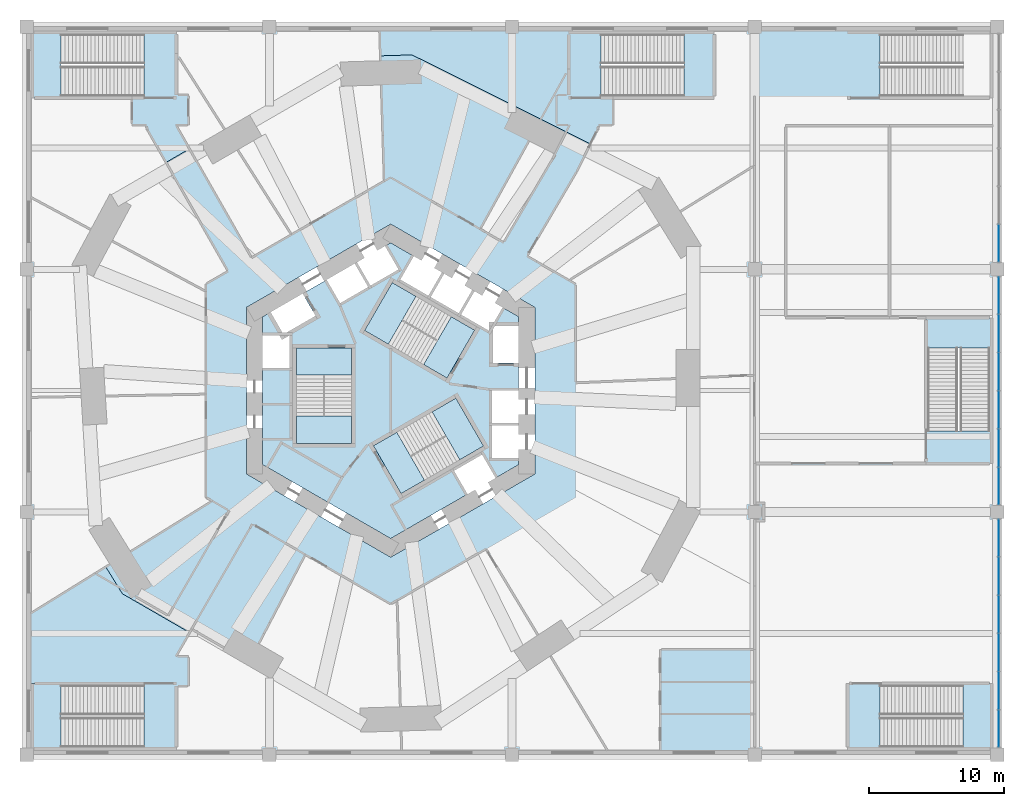
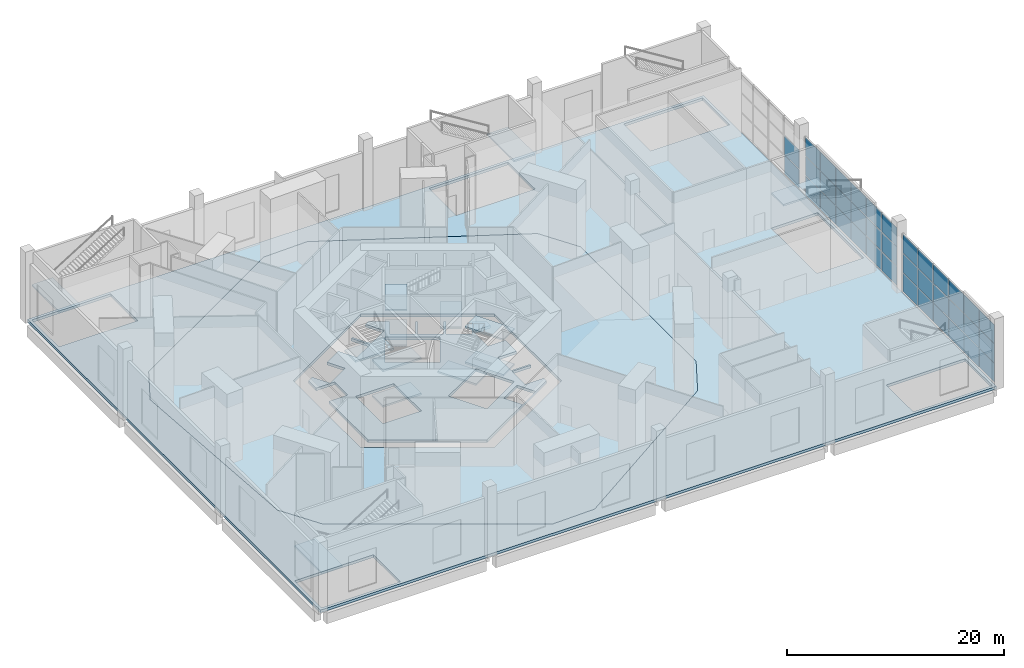
# One storey, part 4 of 15: 38 plates, 17 slabs, 11 elements without a shape of their own.
"""IFC4 building model written with IfcOpenShell, lengths in metres."""

from ifc_helpers import new_model, si_unit, direction, frame, origin, origin_2d, place, context, subcontext, project, spatial, polyline, rectangle, outline, extrude, material, layer, layer_set, type_object, element, aggregate, save


model = new_model("IFC4")

# Units and contexts
model_context = context("Model", 3, precision=1e-05, world=origin(), true_north=direction((0.0, 1.0)))
body_context = subcontext(model_context, "Body", "Model", "MODEL_VIEW")
ifc_project = project(units=[si_unit("LENGTHUNIT", "METRE"), si_unit("AREAUNIT", "SQUARE_METRE"), si_unit("VOLUMEUNIT", "CUBIC_METRE"), si_unit("PLANEANGLEUNIT", "RADIAN"), si_unit("MASSUNIT", "GRAM", prefix="KILO")], contexts=[model_context])

# Site, building, storey
site_placement = place(None, origin())
site = spatial("IfcSite", under=ifc_project, at=site_placement, CompositionType="ELEMENT")
building_placement = place(site_placement, origin())
building = spatial("IfcBuilding", under=site, at=building_placement, Name="Vanh Sen Convention Tower", CompositionType="ELEMENT")
storey_placement = place(building_placement, frame((0.0, 0.0, 21.0)))
storey = spatial("IfcBuildingStorey", under=building, at=storey_placement, Name="L03", CompositionType="ELEMENT", Elevation=21.0)

# Slabs
ifc_material_1 = material(Name="Concrete C40/50", Category="concrete")
ifc_layer_1 = layer(ifc_material_1, 0.300048828125)
ifc_layer_set_1 = layer_set([ifc_layer_1], Name="Concrete C40/50")
slab_type_1 = type_object("IfcSlabType", Name="Core slab 300", PredefinedType="FLOOR", material=ifc_layer_set_1)
slab_1_placement = place(storey_placement, frame((0.0, 0.0, -0.300048828125)))
element("IfcSlab", 1, at=slab_1_placement, inside=storey, type_object=slab_type_1, Name="Core slab L03", PredefinedType="FLOOR", context=body_context, shape_type="SweptSolid", body=[
    extrude(outline(polyline([(9.5, 5.48486328125), (9.5, 4.800048828125), (7.60009765625, 4.800048828125), (7.60009765625, 2.050048828125), (9.5, 2.050048828125), (9.5, 0.0), (7.5, 0.0), (7.5, -2.39990234375), (9.5, -2.39990234375), (9.5, -2.60009765625), (7.5, -2.60009765625), (7.5, -5.0), (9.5, -5.0), (9.5, -5.48486328125), (0.0, -10.9697265625), (-9.5, -5.48486328125), (-9.5, 1.699951171875), (-7.5, 1.699951171875), (-7.5, 4.10009765625), (-9.5, 4.10009765625), (-9.5, 5.48486328125), (-8.906982421875, 5.8271484375), (-7.956787109375, 4.181884765625), (-5.575439453125, 5.556884765625), (-6.525390625, 7.2021484375), (-4.75, 8.227294921875), (-3.75, 6.4951171875), (-1.67138671875, 7.6953125), (-2.67138671875, 9.42724609375), (-2.498291015625, 9.527099609375), (-1.498291015625, 7.795166015625), (0.580078125, 8.9951171875), (-0.419921875, 10.727294921875), (0.0, 10.9697265625), (1.718994140625, 9.977294921875), (0.718994140625, 8.2451171875), (2.79736328125, 7.045166015625), (3.79736328125, 8.777099609375), (3.970703125, 8.67724609375), (2.970703125, 6.9453125), (5.049072265625, 5.7451171875), (6.049072265625, 7.477294921875), (6.22216796875, 7.377197265625), (5.22216796875, 5.645263671875), (7.30078125, 4.4453125), (8.30078125, 6.17724609375), (9.5, 5.48486328125)]), holes=[polyline([(-7.0, 3.14990234375), (-7.0, -3.909912109375), (-2.89990234375, -3.909912109375), (-2.89990234375, 3.14990234375), (-2.89990234375, 1.1494140625), (-7.0, 1.1494140625), (-7.0, 3.14990234375)]), polyline([(4.495361328125, 5.487548828125), (6.22802734375, 4.4873046875), (0.11376953125, 8.01708984375), (-1.936279296875, 4.466552734375), (2.4453125, 1.936767578125), (4.495361328125, 5.487548828125)]), polyline([(7.781005859375, -6.477294921875), (6.781005859375, -4.7451171875), (4.70263671875, -5.9453125), (5.70263671875, -7.67724609375), (7.781005859375, -6.477294921875)]), polyline([(0.45458984375, -3.086181640625), (2.504638671875, -6.63671875), (6.88623046875, -4.107177734375), (4.836181640625, -0.556396484375), (-1.278076171875, -4.08642578125), (0.45458984375, -3.086181640625)])]), origin(), (0.0, 0.0, 1.0), 0.300048828125),
])
ifc_layer_2 = layer(ifc_material_1, 0.300048828125)
ifc_layer_set_2 = layer_set([ifc_layer_2], Name="Concrete C40/50")
slab_type_2 = type_object("IfcSlabType", Name="Floor slab 300 REI 120", PredefinedType="FLOOR", material=ifc_layer_set_2)
slab_2_placement = place(storey_placement, frame((0.0, 0.0, -0.300048828125)))
element("IfcSlab", 2, at=slab_2_placement, inside=storey, type_object=slab_type_2, Name="Floor slab L03 tower", PredefinedType="FLOOR", context=body_context, shape_type="SweptSolid", body=[
    extrude(outline(polyline([(-23.663818359375, 10.14794921875), (-22.364990234375, -11.085205078125), (-19.89990234375, -15.069091796875), (-1.476806640625, -25.705322265625), (3.04345703125, -25.5673828125), (20.78271484375, -13.825927734375), (23.0, -9.69921875), (23.0, 11.57373046875), (20.620361328125, 15.419189453125), (1.58251953125, 24.911376953125), (-3.10009765625, 24.768310546875), (-21.523193359375, 14.131591796875), (-23.663818359375, 10.14794921875)]), holes=[polyline([(0.0, 12.355224609375), (-10.699951171875, 6.177490234375), (-10.699951171875, -6.177490234375), (0.0, -12.355224609375), (10.699951171875, -6.177490234375), (10.699951171875, 6.177490234375), (0.0, 12.355224609375)])]), origin(), (0.0, 0.0, 1.0), 0.300048828125),
])
slab_3_placement = place(storey_placement, frame((0.0, 0.0, -0.300048828125)))
element("IfcSlab", 3, at=slab_3_placement, inside=storey, type_object=slab_type_2, Name="Floor slab L03 wing", PredefinedType="FLOOR", context=body_context, shape_type="SweptSolid", body=[
    extrude(outline(polyline([(45.0, 27.0), (-27.0, 27.0), (-27.0, -27.0), (45.0, -27.0), (45.0, 27.0)]), holes=[polyline([(-22.364990234375, -11.085205078125), (-19.89990234375, -15.069091796875), (-1.476806640625, -25.705322265625), (3.04345703125, -25.5673828125), (20.78271484375, -13.825927734375), (23.0, -9.69921875), (23.0, 11.57373046875), (20.620361328125, 15.419189453125), (1.58251953125, 24.911376953125), (-3.10009765625, 24.768310546875), (-21.523193359375, 14.131591796875), (-23.663818359375, 10.14794921875), (-22.364990234375, -11.085205078125)]), polyline([(44.699951171875, 26.699951171875), (36.30078125, 26.699951171875), (36.30078125, 21.72509765625), (44.699951171875, 21.72509765625), (44.699951171875, 26.699951171875)]), polyline([(36.30078125, -26.699951171875), (44.699951171875, -26.699951171875), (44.699951171875, -21.72509765625), (36.30078125, -21.72509765625), (36.30078125, -26.699951171875)]), polyline([(39.72509765625, -2.999267578125), (44.699951171875, -2.999267578125), (44.699951171875, 5.39990234375), (39.72509765625, 5.39990234375), (39.72509765625, -2.999267578125)]), polyline([(15.6005859375, 26.699951171875), (15.6005859375, 21.72509765625), (24.0, 21.72509765625), (24.0, 26.699951171875), (15.6005859375, 26.699951171875)]), polyline([(-26.699951171875, 26.699951171875), (-26.699951171875, 21.72509765625), (-18.30078125, 21.72509765625), (-18.30078125, 26.699951171875), (-26.699951171875, 26.699951171875)]), polyline([(-26.699951171875, -21.72509765625), (-26.699951171875, -26.699951171875), (-18.30078125, -26.699951171875), (-18.30078125, -21.72509765625), (-26.699951171875, -21.72509765625)])]), origin(), (0.0, 0.0, 1.0), 0.300048828125),
])

# Curtain wall, plates
ifc_material_2 = material(Name="Aluminium structural glazing system", Category="aluminium")
curtain_wall_type = type_object("IfcCurtainWallType", Name="Podium hall structural glazing", PredefinedType="NOTDEFINED", material=ifc_material_2)
curtain_wall_1_placement = place(storey_placement, origin())
curtain_wall_1 = element("IfcCurtainWall", 4, at=curtain_wall_1_placement, inside=storey, type_object=curtain_wall_type, Name="Podium hall glazing 1 L03", PredefinedType="NOTDEFINED")
ifc_material_3 = material(Name="Clear toughened safety glass", Category="glass")
ifc_layer_3 = layer(ifc_material_3, 0.031982421875)
ifc_layer_set_3 = layer_set([ifc_layer_3], Name="Clear toughened safety glass")
plate_type = type_object("IfcPlateType", Name="Hall glazing clear glass panel 32", PredefinedType="CURTAIN_PANEL", material=ifc_layer_set_3)
plate_1_placement = place(storey_placement, frame((45.110107421875, -25.06591796875, 0.06982421875), z_axis=(0.0, 0.0, 1.0), x_axis=(0.0, 1.0, 0.0)))
plate_1 = element("IfcPlate", 5, at=plate_1_placement, type_object=plate_type, Name="CW4 panel 1.1", PredefinedType="CURTAIN_PANEL", context=body_context, shape_type="SweptSolid", body=[
    extrude(rectangle(XDim=2.728271484375, YDim=0.031982421875, at=origin_2d()), origin(), (0.0, 0.0, 1.0), 2.094970703125),
])
plate_2_placement = place(storey_placement, frame((45.110107421875, -25.06591796875, 2.235107421875), z_axis=(0.0, 0.0, 1.0), x_axis=(0.0, 1.0, 0.0)))
plate_2 = element("IfcPlate", 6, at=plate_2_placement, type_object=plate_type, Name="CW4 panel 1.2", PredefinedType="CURTAIN_PANEL", context=body_context, shape_type="SweptSolid", body=[
    extrude(rectangle(XDim=2.728271484375, YDim=0.031982421875, at=origin_2d()), origin(), (0.0, 0.0, 1.0), 2.1298828125),
])
plate_3_placement = place(storey_placement, frame((45.110107421875, -25.06591796875, 4.43505859375), z_axis=(0.0, 0.0, 1.0), x_axis=(0.0, 1.0, 0.0)))
plate_3 = element("IfcPlate", 7, at=plate_3_placement, type_object=plate_type, Name="CW4 panel 1.3", PredefinedType="CURTAIN_PANEL", context=body_context, shape_type="SweptSolid", body=[
    extrude(rectangle(XDim=2.728271484375, YDim=0.031982421875, at=origin_2d()), origin(), (0.0, 0.0, 1.0), 2.094970703125),
])
plate_4_placement = place(storey_placement, frame((45.110107421875, -22.25, 0.06982421875), z_axis=(0.0, 0.0, 1.0), x_axis=(0.0, 1.0, 0.0)))
plate_4 = element("IfcPlate", 8, at=plate_4_placement, type_object=plate_type, Name="CW4 panel 2.1", PredefinedType="CURTAIN_PANEL", context=body_context, shape_type="SweptSolid", body=[
    extrude(rectangle(XDim=2.763427734375, YDim=0.031982421875, at=origin_2d()), origin(), (0.0, 0.0, 1.0), 2.094970703125),
])
plate_5_placement = place(storey_placement, frame((45.110107421875, -22.25, 2.235107421875), z_axis=(0.0, 0.0, 1.0), x_axis=(0.0, 1.0, 0.0)))
plate_5 = element("IfcPlate", 9, at=plate_5_placement, type_object=plate_type, Name="CW4 panel 2.2", PredefinedType="CURTAIN_PANEL", context=body_context, shape_type="SweptSolid", body=[
    extrude(rectangle(XDim=2.763427734375, YDim=0.031982421875, at=origin_2d()), origin(), (0.0, 0.0, 1.0), 2.1298828125),
])
plate_6_placement = place(storey_placement, frame((45.110107421875, -22.25, 4.43505859375), z_axis=(0.0, 0.0, 1.0), x_axis=(0.0, 1.0, 0.0)))
plate_6 = element("IfcPlate", 10, at=plate_6_placement, type_object=plate_type, Name="CW4 panel 2.3", PredefinedType="CURTAIN_PANEL", context=body_context, shape_type="SweptSolid", body=[
    extrude(rectangle(XDim=2.763427734375, YDim=0.031982421875, at=origin_2d()), origin(), (0.0, 0.0, 1.0), 2.094970703125),
])
plate_7_placement = place(storey_placement, frame((45.110107421875, -19.416748046875, 0.06982421875), z_axis=(0.0, 0.0, 1.0), x_axis=(0.0, 1.0, 0.0)))
plate_7 = element("IfcPlate", 11, at=plate_7_placement, type_object=plate_type, Name="CW4 panel 3.1", PredefinedType="CURTAIN_PANEL", context=body_context, shape_type="SweptSolid", body=[
    extrude(rectangle(XDim=2.763427734375, YDim=0.031982421875, at=origin_2d()), origin(), (0.0, 0.0, 1.0), 2.094970703125),
])
plate_8_placement = place(storey_placement, frame((45.110107421875, -19.416748046875, 2.235107421875), z_axis=(0.0, 0.0, 1.0), x_axis=(0.0, 1.0, 0.0)))
plate_8 = element("IfcPlate", 12, at=plate_8_placement, type_object=plate_type, Name="CW4 panel 3.2", PredefinedType="CURTAIN_PANEL", context=body_context, shape_type="SweptSolid", body=[
    extrude(rectangle(XDim=2.763427734375, YDim=0.031982421875, at=origin_2d()), origin(), (0.0, 0.0, 1.0), 2.1298828125),
])
plate_9_placement = place(storey_placement, frame((45.110107421875, -19.416748046875, 4.43505859375), z_axis=(0.0, 0.0, 1.0), x_axis=(0.0, 1.0, 0.0)))
plate_9 = element("IfcPlate", 13, at=plate_9_placement, type_object=plate_type, Name="CW4 panel 3.3", PredefinedType="CURTAIN_PANEL", context=body_context, shape_type="SweptSolid", body=[
    extrude(rectangle(XDim=2.763427734375, YDim=0.031982421875, at=origin_2d()), origin(), (0.0, 0.0, 1.0), 2.094970703125),
])
plate_10_placement = place(storey_placement, frame((45.110107421875, -16.583251953125, 0.06982421875), z_axis=(0.0, 0.0, 1.0), x_axis=(0.0, 1.0, 0.0)))
plate_10 = element("IfcPlate", 14, at=plate_10_placement, type_object=plate_type, Name="CW4 panel 4.1", PredefinedType="CURTAIN_PANEL", context=body_context, shape_type="SweptSolid", body=[
    extrude(rectangle(XDim=2.763427734375, YDim=0.031982421875, at=origin_2d()), origin(), (0.0, 0.0, 1.0), 2.094970703125),
])
plate_11_placement = place(storey_placement, frame((45.110107421875, -16.583251953125, 2.235107421875), z_axis=(0.0, 0.0, 1.0), x_axis=(0.0, 1.0, 0.0)))
plate_11 = element("IfcPlate", 15, at=plate_11_placement, type_object=plate_type, Name="CW4 panel 4.2", PredefinedType="CURTAIN_PANEL", context=body_context, shape_type="SweptSolid", body=[
    extrude(rectangle(XDim=2.763427734375, YDim=0.031982421875, at=origin_2d()), origin(), (0.0, 0.0, 1.0), 2.1298828125),
])
plate_12_placement = place(storey_placement, frame((45.110107421875, -16.583251953125, 4.43505859375), z_axis=(0.0, 0.0, 1.0), x_axis=(0.0, 1.0, 0.0)))
plate_12 = element("IfcPlate", 16, at=plate_12_placement, type_object=plate_type, Name="CW4 panel 4.3", PredefinedType="CURTAIN_PANEL", context=body_context, shape_type="SweptSolid", body=[
    extrude(rectangle(XDim=2.763427734375, YDim=0.031982421875, at=origin_2d()), origin(), (0.0, 0.0, 1.0), 2.094970703125),
])
plate_13_placement = place(storey_placement, frame((45.110107421875, -13.75, 0.06982421875), z_axis=(0.0, 0.0, 1.0), x_axis=(0.0, 1.0, 0.0)))
plate_13 = element("IfcPlate", 17, at=plate_13_placement, type_object=plate_type, Name="CW4 panel 5.1", PredefinedType="CURTAIN_PANEL", context=body_context, shape_type="SweptSolid", body=[
    extrude(rectangle(XDim=2.763427734375, YDim=0.031982421875, at=origin_2d()), origin(), (0.0, 0.0, 1.0), 2.094970703125),
])
plate_14_placement = place(storey_placement, frame((45.110107421875, -13.75, 2.235107421875), z_axis=(0.0, 0.0, 1.0), x_axis=(0.0, 1.0, 0.0)))
plate_14 = element("IfcPlate", 18, at=plate_14_placement, type_object=plate_type, Name="CW4 panel 5.2", PredefinedType="CURTAIN_PANEL", context=body_context, shape_type="SweptSolid", body=[
    extrude(rectangle(XDim=2.763427734375, YDim=0.031982421875, at=origin_2d()), origin(), (0.0, 0.0, 1.0), 2.1298828125),
])
plate_15_placement = place(storey_placement, frame((45.110107421875, -13.75, 4.43505859375), z_axis=(0.0, 0.0, 1.0), x_axis=(0.0, 1.0, 0.0)))
plate_15 = element("IfcPlate", 19, at=plate_15_placement, type_object=plate_type, Name="CW4 panel 5.3", PredefinedType="CURTAIN_PANEL", context=body_context, shape_type="SweptSolid", body=[
    extrude(rectangle(XDim=2.763427734375, YDim=0.031982421875, at=origin_2d()), origin(), (0.0, 0.0, 1.0), 2.094970703125),
])
plate_16_placement = place(storey_placement, frame((45.110107421875, -10.93408203125, 0.06982421875), z_axis=(0.0, 0.0, 1.0), x_axis=(0.0, 1.0, 0.0)))
plate_16 = element("IfcPlate", 20, at=plate_16_placement, type_object=plate_type, Name="CW4 panel 6.1", PredefinedType="CURTAIN_PANEL", context=body_context, shape_type="SweptSolid", body=[
    extrude(rectangle(XDim=2.728271484375, YDim=0.031982421875, at=origin_2d()), origin(), (0.0, 0.0, 1.0), 2.094970703125),
])
plate_17_placement = place(storey_placement, frame((45.110107421875, -10.93408203125, 2.235107421875), z_axis=(0.0, 0.0, 1.0), x_axis=(0.0, 1.0, 0.0)))
plate_17 = element("IfcPlate", 21, at=plate_17_placement, type_object=plate_type, Name="CW4 panel 6.2", PredefinedType="CURTAIN_PANEL", context=body_context, shape_type="SweptSolid", body=[
    extrude(rectangle(XDim=2.728271484375, YDim=0.031982421875, at=origin_2d()), origin(), (0.0, 0.0, 1.0), 2.1298828125),
])
plate_18_placement = place(storey_placement, frame((45.110107421875, -10.93408203125, 4.43505859375), z_axis=(0.0, 0.0, 1.0), x_axis=(0.0, 1.0, 0.0)))
plate_18 = element("IfcPlate", 22, at=plate_18_placement, type_object=plate_type, Name="CW4 panel 6.3", PredefinedType="CURTAIN_PANEL", context=body_context, shape_type="SweptSolid", body=[
    extrude(rectangle(XDim=2.728271484375, YDim=0.031982421875, at=origin_2d()), origin(), (0.0, 0.0, 1.0), 2.094970703125),
])
aggregate(curtain_wall_1, [plate_1, plate_2, plate_3, plate_4, plate_5, plate_6, plate_7, plate_8, plate_9, plate_10, plate_11, plate_12, plate_13, plate_14, plate_15, plate_16, plate_17, plate_18])

curtain_wall_2_placement = place(storey_placement, origin())
curtain_wall_2 = element("IfcCurtainWall", 23, at=curtain_wall_2_placement, inside=storey, type_object=curtain_wall_type, Name="Podium hall glazing 2 L03", PredefinedType="NOTDEFINED")
plate_19_placement = place(storey_placement, frame((45.110107421875, -7.06591796875, 0.06982421875), z_axis=(0.0, 0.0, 1.0), x_axis=(0.0, 1.0, 0.0)))
plate_19 = element("IfcPlate", 24, at=plate_19_placement, type_object=plate_type, Name="CW4 panel 1.1", PredefinedType="CURTAIN_PANEL", context=body_context, shape_type="SweptSolid", body=[
    extrude(rectangle(XDim=2.728271484375, YDim=0.031982421875, at=origin_2d()), origin(), (0.0, 0.0, 1.0), 2.094970703125),
])
plate_20_placement = place(storey_placement, frame((45.110107421875, -7.06591796875, 2.235107421875), z_axis=(0.0, 0.0, 1.0), x_axis=(0.0, 1.0, 0.0)))
plate_20 = element("IfcPlate", 25, at=plate_20_placement, type_object=plate_type, Name="CW4 panel 1.2", PredefinedType="CURTAIN_PANEL", context=body_context, shape_type="SweptSolid", body=[
    extrude(rectangle(XDim=2.728271484375, YDim=0.031982421875, at=origin_2d()), origin(), (0.0, 0.0, 1.0), 2.1298828125),
])
plate_21_placement = place(storey_placement, frame((45.110107421875, -7.06591796875, 4.43505859375), z_axis=(0.0, 0.0, 1.0), x_axis=(0.0, 1.0, 0.0)))
plate_21 = element("IfcPlate", 26, at=plate_21_placement, type_object=plate_type, Name="CW4 panel 1.3", PredefinedType="CURTAIN_PANEL", context=body_context, shape_type="SweptSolid", body=[
    extrude(rectangle(XDim=2.728271484375, YDim=0.031982421875, at=origin_2d()), origin(), (0.0, 0.0, 1.0), 2.094970703125),
])
plate_22_placement = place(storey_placement, frame((45.110107421875, -4.25, 0.06982421875), z_axis=(0.0, 0.0, 1.0), x_axis=(0.0, 1.0, 0.0)))
plate_22 = element("IfcPlate", 27, at=plate_22_placement, type_object=plate_type, Name="CW4 panel 2.1", PredefinedType="CURTAIN_PANEL", context=body_context, shape_type="SweptSolid", body=[
    extrude(rectangle(XDim=2.763427734375, YDim=0.031982421875, at=origin_2d()), origin(), (0.0, 0.0, 1.0), 2.094970703125),
])
plate_23_placement = place(storey_placement, frame((45.110107421875, -4.25, 2.235107421875), z_axis=(0.0, 0.0, 1.0), x_axis=(0.0, 1.0, 0.0)))
plate_23 = element("IfcPlate", 28, at=plate_23_placement, type_object=plate_type, Name="CW4 panel 2.2", PredefinedType="CURTAIN_PANEL", context=body_context, shape_type="SweptSolid", body=[
    extrude(rectangle(XDim=2.763427734375, YDim=0.031982421875, at=origin_2d()), origin(), (0.0, 0.0, 1.0), 2.1298828125),
])
plate_24_placement = place(storey_placement, frame((45.110107421875, -4.25, 4.43505859375), z_axis=(0.0, 0.0, 1.0), x_axis=(0.0, 1.0, 0.0)))
plate_24 = element("IfcPlate", 29, at=plate_24_placement, type_object=plate_type, Name="CW4 panel 2.3", PredefinedType="CURTAIN_PANEL", context=body_context, shape_type="SweptSolid", body=[
    extrude(rectangle(XDim=2.763427734375, YDim=0.031982421875, at=origin_2d()), origin(), (0.0, 0.0, 1.0), 2.094970703125),
])
plate_25_placement = place(storey_placement, frame((45.110107421875, -1.416748046875, 0.06982421875), z_axis=(0.0, 0.0, 1.0), x_axis=(0.0, 1.0, 0.0)))
plate_25 = element("IfcPlate", 30, at=plate_25_placement, type_object=plate_type, Name="CW4 panel 3.1", PredefinedType="CURTAIN_PANEL", context=body_context, shape_type="SweptSolid", body=[
    extrude(rectangle(XDim=2.763427734375, YDim=0.031982421875, at=origin_2d()), origin(), (0.0, 0.0, 1.0), 2.094970703125),
])
plate_26_placement = place(storey_placement, frame((45.110107421875, -1.416748046875, 2.235107421875), z_axis=(0.0, 0.0, 1.0), x_axis=(0.0, 1.0, 0.0)))
plate_26 = element("IfcPlate", 31, at=plate_26_placement, type_object=plate_type, Name="CW4 panel 3.2", PredefinedType="CURTAIN_PANEL", context=body_context, shape_type="SweptSolid", body=[
    extrude(rectangle(XDim=2.763427734375, YDim=0.031982421875, at=origin_2d()), origin(), (0.0, 0.0, 1.0), 2.1298828125),
])
plate_27_placement = place(storey_placement, frame((45.110107421875, -1.416748046875, 4.43505859375), z_axis=(0.0, 0.0, 1.0), x_axis=(0.0, 1.0, 0.0)))
plate_27 = element("IfcPlate", 32, at=plate_27_placement, type_object=plate_type, Name="CW4 panel 3.3", PredefinedType="CURTAIN_PANEL", context=body_context, shape_type="SweptSolid", body=[
    extrude(rectangle(XDim=2.763427734375, YDim=0.031982421875, at=origin_2d()), origin(), (0.0, 0.0, 1.0), 2.094970703125),
])
plate_28_placement = place(storey_placement, frame((45.110107421875, 1.416748046875, 0.06982421875), z_axis=(0.0, 0.0, 1.0), x_axis=(0.0, 1.0, 0.0)))
plate_28 = element("IfcPlate", 33, at=plate_28_placement, type_object=plate_type, Name="CW4 panel 4.1", PredefinedType="CURTAIN_PANEL", context=body_context, shape_type="SweptSolid", body=[
    extrude(rectangle(XDim=2.763427734375, YDim=0.031982421875, at=origin_2d()), origin(), (0.0, 0.0, 1.0), 2.094970703125),
])
plate_29_placement = place(storey_placement, frame((45.110107421875, 1.416748046875, 2.235107421875), z_axis=(0.0, 0.0, 1.0), x_axis=(0.0, 1.0, 0.0)))
plate_29 = element("IfcPlate", 34, at=plate_29_placement, type_object=plate_type, Name="CW4 panel 4.2", PredefinedType="CURTAIN_PANEL", context=body_context, shape_type="SweptSolid", body=[
    extrude(rectangle(XDim=2.763427734375, YDim=0.031982421875, at=origin_2d()), origin(), (0.0, 0.0, 1.0), 2.1298828125),
])
plate_30_placement = place(storey_placement, frame((45.110107421875, 1.416748046875, 4.43505859375), z_axis=(0.0, 0.0, 1.0), x_axis=(0.0, 1.0, 0.0)))
plate_30 = element("IfcPlate", 35, at=plate_30_placement, type_object=plate_type, Name="CW4 panel 4.3", PredefinedType="CURTAIN_PANEL", context=body_context, shape_type="SweptSolid", body=[
    extrude(rectangle(XDim=2.763427734375, YDim=0.031982421875, at=origin_2d()), origin(), (0.0, 0.0, 1.0), 2.094970703125),
])
plate_31_placement = place(storey_placement, frame((45.110107421875, 4.25, 0.06982421875), z_axis=(0.0, 0.0, 1.0), x_axis=(0.0, 1.0, 0.0)))
plate_31 = element("IfcPlate", 36, at=plate_31_placement, type_object=plate_type, Name="CW4 panel 5.1", PredefinedType="CURTAIN_PANEL", context=body_context, shape_type="SweptSolid", body=[
    extrude(rectangle(XDim=2.763427734375, YDim=0.031982421875, at=origin_2d()), origin(), (0.0, 0.0, 1.0), 2.094970703125),
])
plate_32_placement = place(storey_placement, frame((45.110107421875, 4.25, 2.235107421875), z_axis=(0.0, 0.0, 1.0), x_axis=(0.0, 1.0, 0.0)))
plate_32 = element("IfcPlate", 37, at=plate_32_placement, type_object=plate_type, Name="CW4 panel 5.2", PredefinedType="CURTAIN_PANEL", context=body_context, shape_type="SweptSolid", body=[
    extrude(rectangle(XDim=2.763427734375, YDim=0.031982421875, at=origin_2d()), origin(), (0.0, 0.0, 1.0), 2.1298828125),
])
plate_33_placement = place(storey_placement, frame((45.110107421875, 4.25, 4.43505859375), z_axis=(0.0, 0.0, 1.0), x_axis=(0.0, 1.0, 0.0)))
plate_33 = element("IfcPlate", 38, at=plate_33_placement, type_object=plate_type, Name="CW4 panel 5.3", PredefinedType="CURTAIN_PANEL", context=body_context, shape_type="SweptSolid", body=[
    extrude(rectangle(XDim=2.763427734375, YDim=0.031982421875, at=origin_2d()), origin(), (0.0, 0.0, 1.0), 2.094970703125),
])
plate_34_placement = place(storey_placement, frame((45.110107421875, 7.06591796875, 0.06982421875), z_axis=(0.0, 0.0, 1.0), x_axis=(0.0, 1.0, 0.0)))
plate_34 = element("IfcPlate", 39, at=plate_34_placement, type_object=plate_type, Name="CW4 panel 6.1", PredefinedType="CURTAIN_PANEL", context=body_context, shape_type="SweptSolid", body=[
    extrude(rectangle(XDim=2.728271484375, YDim=0.031982421875, at=origin_2d()), origin(), (0.0, 0.0, 1.0), 2.094970703125),
])
plate_35_placement = place(storey_placement, frame((45.110107421875, 7.06591796875, 2.235107421875), z_axis=(0.0, 0.0, 1.0), x_axis=(0.0, 1.0, 0.0)))
plate_35 = element("IfcPlate", 40, at=plate_35_placement, type_object=plate_type, Name="CW4 panel 6.2", PredefinedType="CURTAIN_PANEL", context=body_context, shape_type="SweptSolid", body=[
    extrude(rectangle(XDim=2.728271484375, YDim=0.031982421875, at=origin_2d()), origin(), (0.0, 0.0, 1.0), 2.1298828125),
])
plate_36_placement = place(storey_placement, frame((45.110107421875, 7.06591796875, 4.43505859375), z_axis=(0.0, 0.0, 1.0), x_axis=(0.0, 1.0, 0.0)))
plate_36 = element("IfcPlate", 41, at=plate_36_placement, type_object=plate_type, Name="CW4 panel 6.3", PredefinedType="CURTAIN_PANEL", context=body_context, shape_type="SweptSolid", body=[
    extrude(rectangle(XDim=2.728271484375, YDim=0.031982421875, at=origin_2d()), origin(), (0.0, 0.0, 1.0), 2.094970703125),
])
aggregate(curtain_wall_2, [plate_19, plate_20, plate_21, plate_22, plate_23, plate_24, plate_25, plate_26, plate_27, plate_28, plate_29, plate_30, plate_31, plate_32, plate_33, plate_34, plate_35, plate_36])

curtain_wall_3_placement = place(storey_placement, origin())
curtain_wall_3 = element("IfcCurtainWall", 42, at=curtain_wall_3_placement, inside=storey, type_object=curtain_wall_type, Name="Podium hall glazing 3 L03", PredefinedType="NOTDEFINED")
plate_37_placement = place(storey_placement, frame((45.110107421875, 10.93408203125, 0.06982421875), z_axis=(0.0, 0.0, 1.0), x_axis=(0.0, 1.0, 0.0)))
plate_37 = element("IfcPlate", 43, at=plate_37_placement, type_object=plate_type, Name="CW4 panel 1.1", PredefinedType="CURTAIN_PANEL", context=body_context, shape_type="SweptSolid", body=[
    extrude(rectangle(XDim=2.728271484375, YDim=0.031982421875, at=origin_2d()), origin(), (0.0, 0.0, 1.0), 2.094970703125),
])
plate_38_placement = place(storey_placement, frame((45.110107421875, 10.93408203125, 2.235107421875), z_axis=(0.0, 0.0, 1.0), x_axis=(0.0, 1.0, 0.0)))
plate_38 = element("IfcPlate", 44, at=plate_38_placement, type_object=plate_type, Name="CW4 panel 1.2", PredefinedType="CURTAIN_PANEL", context=body_context, shape_type="SweptSolid", body=[
    extrude(rectangle(XDim=2.728271484375, YDim=0.031982421875, at=origin_2d()), origin(), (0.0, 0.0, 1.0), 2.1298828125),
])
aggregate(curtain_wall_3, [plate_37, plate_38])

# Stair, slab
stair_type_1 = type_object("IfcStairType", Name="Podium exit stair 2200", PredefinedType="HALF_TURN_STAIR", material=ifc_material_1)
stair_1_placement = place(storey_placement, origin())
stair_1 = element("IfcStair", 45, at=stair_1_placement, inside=storey, type_object=stair_type_1, Name="Exit stair PS2 L03", PredefinedType="HALF_TURN_STAIR")
ifc_layer_4 = layer(ifc_material_1, 0.199951171875)
ifc_layer_set_4 = layer_set([ifc_layer_4], Name="Concrete C40/50")
slab_type_3 = type_object("IfcSlabType", Name="Podium stair landing 200", PredefinedType="LANDING", material=ifc_layer_set_4)
slab_4_placement = place(storey_placement, frame((0.0, 0.0, 3.800048828125)))
slab_4 = element("IfcSlab", 46, at=slab_4_placement, type_object=slab_type_3, Name="PS2 landing 1", PredefinedType="LANDING", context=body_context, shape_type="SweptSolid", body=[
    extrude(outline(polyline([(42.459228515625, -21.72509765625), (44.699951171875, -21.72509765625), (44.699951171875, -26.699951171875), (42.459228515625, -26.699951171875), (42.459228515625, -21.72509765625)])), origin(), (0.0, 0.0, 1.0), 0.199951171875),
])
aggregate(stair_1, [slab_4])

stair_2_placement = place(storey_placement, origin())
stair_2 = element("IfcStair", 47, at=stair_2_placement, inside=storey, type_object=stair_type_1, Name="Exit stair PS3 L03", PredefinedType="HALF_TURN_STAIR")
slab_5_placement = place(storey_placement, frame((0.0, 0.0, 3.800048828125)))
slab_5 = element("IfcSlab", 48, at=slab_5_placement, type_object=slab_type_3, Name="PS3 landing 1", PredefinedType="LANDING", context=body_context, shape_type="SweptSolid", body=[
    extrude(outline(polyline([(39.72509765625, 3.1591796875), (39.72509765625, 5.39990234375), (44.699951171875, 5.39990234375), (44.699951171875, 3.1591796875), (39.72509765625, 3.1591796875)])), origin(), (0.0, 0.0, 1.0), 0.199951171875),
])
aggregate(stair_2, [slab_5])

stair_3_placement = place(storey_placement, origin())
stair_3 = element("IfcStair", 49, at=stair_3_placement, inside=storey, type_object=stair_type_1, Name="Exit stair PS4 L03", PredefinedType="HALF_TURN_STAIR")
slab_6_placement = place(storey_placement, frame((0.0, 0.0, 3.800048828125)))
slab_6 = element("IfcSlab", 50, at=slab_6_placement, type_object=slab_type_3, Name="PS4 landing 1", PredefinedType="LANDING", context=body_context, shape_type="SweptSolid", body=[
    extrude(outline(polyline([(21.75927734375, 21.72509765625), (24.0, 21.72509765625), (24.0, 26.699951171875), (21.75927734375, 26.699951171875), (21.75927734375, 21.72509765625)])), origin(), (0.0, 0.0, 1.0), 0.199951171875),
])
aggregate(stair_3, [slab_6])

stair_4_placement = place(storey_placement, origin())
stair_4 = element("IfcStair", 51, at=stair_4_placement, inside=storey, type_object=stair_type_1, Name="Exit stair PS5 L03", PredefinedType="HALF_TURN_STAIR")
slab_7_placement = place(storey_placement, frame((0.0, 0.0, 3.800048828125)))
slab_7 = element("IfcSlab", 52, at=slab_7_placement, type_object=slab_type_3, Name="PS5 landing 1", PredefinedType="LANDING", context=body_context, shape_type="SweptSolid", body=[
    extrude(outline(polyline([(-24.459228515625, 21.72509765625), (-26.699951171875, 21.72509765625), (-26.699951171875, 26.699951171875), (-24.459228515625, 26.699951171875), (-24.459228515625, 21.72509765625)])), origin(), (0.0, 0.0, 1.0), 0.199951171875),
])
aggregate(stair_4, [slab_7])

stair_5_placement = place(storey_placement, origin())
stair_5 = element("IfcStair", 53, at=stair_5_placement, inside=storey, type_object=stair_type_1, Name="Exit stair PS6 L03", PredefinedType="HALF_TURN_STAIR")
slab_8_placement = place(storey_placement, frame((0.0, 0.0, 3.800048828125)))
slab_8 = element("IfcSlab", 54, at=slab_8_placement, type_object=slab_type_3, Name="PS6 landing 1", PredefinedType="LANDING", context=body_context, shape_type="SweptSolid", body=[
    extrude(outline(polyline([(-24.459228515625, -21.72509765625), (-26.699951171875, -21.72509765625), (-26.699951171875, -26.699951171875), (-24.459228515625, -26.699951171875), (-24.459228515625, -21.72509765625)])), origin(), (0.0, 0.0, 1.0), 0.199951171875),
])
aggregate(stair_5, [slab_8])

# Stair, slabs
ifc_material_4 = material(Name="Concrete C50/60", Category="concrete")
stair_type_2 = type_object("IfcStairType", Name="Exit stair ST1 48 risers at 166.7", PredefinedType="HALF_TURN_STAIR", material=ifc_material_4)
stair_6_placement = place(storey_placement, origin())
stair_6 = element("IfcStair", 55, at=stair_6_placement, inside=storey, type_object=stair_type_2, Name="Exit stair ST1 L03", PredefinedType="HALF_TURN_STAIR")
ifc_layer_5 = layer(ifc_material_1, 0.199951171875)
ifc_layer_set_5 = layer_set([ifc_layer_5], Name="Concrete C40/50")
slab_type_4 = type_object("IfcSlabType", Name="Stair landing 200", PredefinedType="LANDING", material=ifc_layer_set_5)
slab_9_placement = place(storey_placement, frame((0.0, 0.0, 1.800048828125)))
slab_9 = element("IfcSlab", 56, at=slab_9_placement, type_object=slab_type_4, Name="ST1 landing 1", PredefinedType="LANDING", context=body_context, shape_type="SweptSolid", body=[
    extrude(outline(polyline([(1.876708984375, 6.999267578125), (0.11376953125, 8.01708984375), (-1.936279296875, 4.466552734375), (-0.173095703125, 3.448486328125), (1.876708984375, 6.999267578125)])), origin(), (0.0, 0.0, 1.0), 0.199951171875),
])
slab_10_placement = place(storey_placement, frame((0.0, 0.0, 3.800048828125)))
slab_10 = element("IfcSlab", 57, at=slab_10_placement, type_object=slab_type_4, Name="ST1 landing 2", PredefinedType="LANDING", context=body_context, shape_type="SweptSolid", body=[
    extrude(outline(polyline([(6.22802734375, 4.4873046875), (4.495361328125, 5.487548828125), (2.4453125, 1.936767578125), (4.177978515625, 0.9365234375), (6.22802734375, 4.4873046875)])), origin(), (0.0, 0.0, 1.0), 0.199951171875),
])
slab_11_placement = place(storey_placement, frame((0.0, 0.0, 5.800048828125)))
slab_11 = element("IfcSlab", 58, at=slab_11_placement, type_object=slab_type_4, Name="ST1 landing 3", PredefinedType="LANDING", context=body_context, shape_type="SweptSolid", body=[
    extrude(outline(polyline([(1.876708984375, 6.999267578125), (0.11376953125, 8.01708984375), (-1.936279296875, 4.466552734375), (-0.173095703125, 3.448486328125), (1.876708984375, 6.999267578125)])), origin(), (0.0, 0.0, 1.0), 0.199951171875),
])
aggregate(stair_6, [slab_9, slab_10, slab_11])

stair_type_3 = type_object("IfcStairType", Name="Exit stair ST2 48 risers at 166.7", PredefinedType="HALF_TURN_STAIR", material=ifc_material_4)
stair_7_placement = place(storey_placement, origin())
stair_7 = element("IfcStair", 59, at=stair_7_placement, inside=storey, type_object=stair_type_3, Name="Exit stair ST2 L03", PredefinedType="HALF_TURN_STAIR")
slab_12_placement = place(storey_placement, frame((0.0, 0.0, 1.800048828125)))
slab_12 = element("IfcSlab", 60, at=slab_12_placement, type_object=slab_type_4, Name="ST2 landing 1", PredefinedType="LANDING", context=body_context, shape_type="SweptSolid", body=[
    extrude(outline(polyline([(-7.0, -1.874267578125), (-7.0, -3.909912109375), (-2.89990234375, -3.909912109375), (-2.89990234375, -1.874267578125), (-7.0, -1.874267578125)])), origin(), (0.0, 0.0, 1.0), 0.199951171875),
])
slab_13_placement = place(storey_placement, frame((0.0, 0.0, 3.800048828125)))
slab_13 = element("IfcSlab", 61, at=slab_13_placement, type_object=slab_type_4, Name="ST2 landing 2", PredefinedType="LANDING", context=body_context, shape_type="SweptSolid", body=[
    extrude(outline(polyline([(-7.0, 3.14990234375), (-7.0, 1.1494140625), (-2.89990234375, 1.1494140625), (-2.89990234375, 3.14990234375), (-7.0, 3.14990234375)])), origin(), (0.0, 0.0, 1.0), 0.199951171875),
])
slab_14_placement = place(storey_placement, frame((0.0, 0.0, 5.800048828125)))
slab_14 = element("IfcSlab", 62, at=slab_14_placement, type_object=slab_type_4, Name="ST2 landing 3", PredefinedType="LANDING", context=body_context, shape_type="SweptSolid", body=[
    extrude(outline(polyline([(-7.0, -1.874267578125), (-7.0, -3.909912109375), (-2.89990234375, -3.909912109375), (-2.89990234375, -1.874267578125), (-7.0, -1.874267578125)])), origin(), (0.0, 0.0, 1.0), 0.199951171875),
])
aggregate(stair_7, [slab_12, slab_13, slab_14])

stair_type_4 = type_object("IfcStairType", Name="Exit stair ST3 48 risers at 166.7", PredefinedType="HALF_TURN_STAIR", material=ifc_material_4)
stair_8_placement = place(storey_placement, origin())
stair_8 = element("IfcStair", 63, at=stair_8_placement, inside=storey, type_object=stair_type_4, Name="Exit stair ST3 L03", PredefinedType="HALF_TURN_STAIR")
slab_15_placement = place(storey_placement, frame((0.0, 0.0, 1.800048828125)))
slab_15 = element("IfcSlab", 64, at=slab_15_placement, type_object=slab_type_4, Name="ST3 landing 1", PredefinedType="LANDING", context=body_context, shape_type="SweptSolid", body=[
    extrude(outline(polyline([(5.123291015625, -5.125), (6.88623046875, -4.107177734375), (4.836181640625, -0.556396484375), (3.0732421875, -1.57421875), (5.123291015625, -5.125)])), origin(), (0.0, 0.0, 1.0), 0.199951171875),
])
slab_16_placement = place(storey_placement, frame((0.0, 0.0, 3.800048828125)))
slab_16 = element("IfcSlab", 65, at=slab_16_placement, type_object=slab_type_4, Name="ST3 landing 2", PredefinedType="LANDING", context=body_context, shape_type="SweptSolid", body=[
    extrude(outline(polyline([(0.77197265625, -7.63720703125), (2.504638671875, -6.63671875), (0.45458984375, -3.086181640625), (-1.278076171875, -4.08642578125), (0.77197265625, -7.63720703125)])), origin(), (0.0, 0.0, 1.0), 0.199951171875),
])
slab_17_placement = place(storey_placement, frame((0.0, 0.0, 5.800048828125)))
slab_17 = element("IfcSlab", 66, at=slab_17_placement, type_object=slab_type_4, Name="ST3 landing 3", PredefinedType="LANDING", context=body_context, shape_type="SweptSolid", body=[
    extrude(outline(polyline([(5.123291015625, -5.125), (6.88623046875, -4.107177734375), (4.836181640625, -0.556396484375), (3.0732421875, -1.57421875), (5.123291015625, -5.125)])), origin(), (0.0, 0.0, 1.0), 0.199951171875),
])
aggregate(stair_8, [slab_15, slab_16, slab_17])

save(model, "model.ifc")
